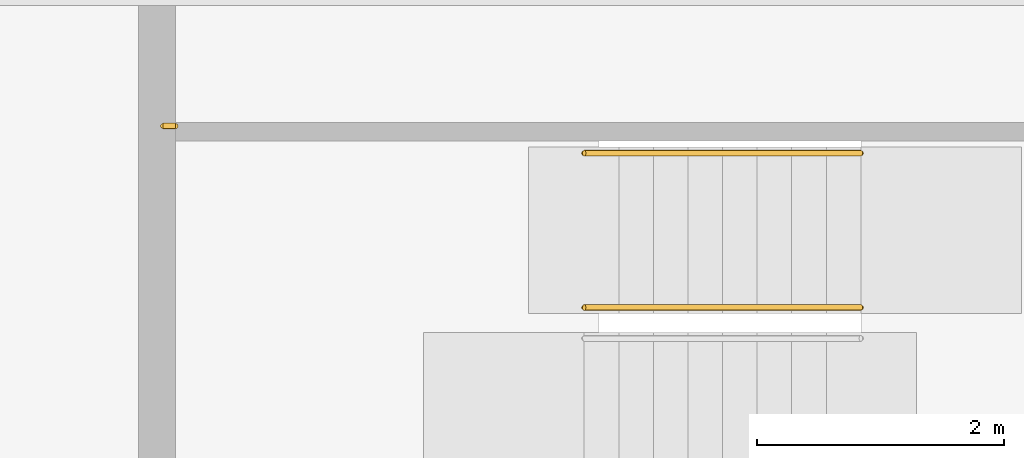
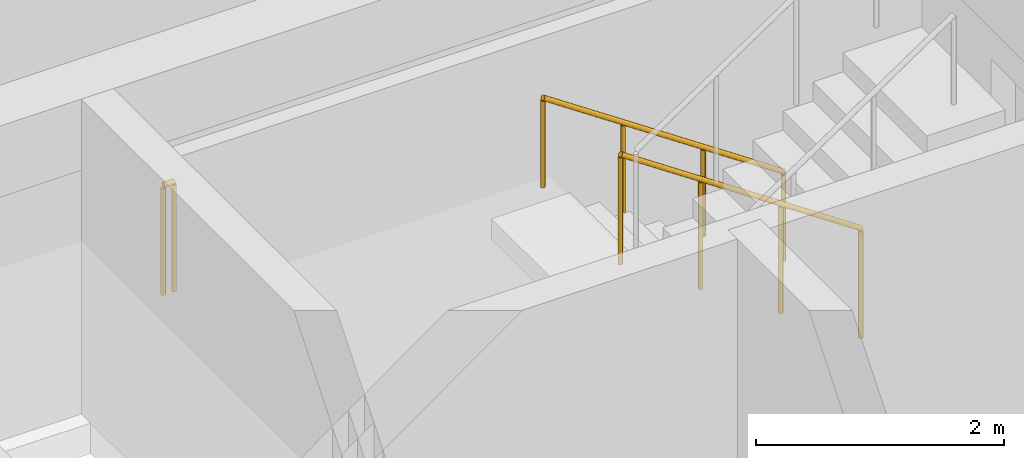
# One storey, part 11 of 12: 3 railings.
"""IFC4 building model written with IfcOpenShell, lengths in metres."""

from ifc_helpers import new_model, si_unit, direction, frame, origin, origin_2d, place, context, subcontext, project, spatial, circle, extrude, material, type_object, element, save


model = new_model("IFC4")

# Units and contexts
model_context = context("Model", 3, precision=1e-05, world=origin(), true_north=direction((0.0, 1.0)))
body_context = subcontext(model_context, "Body", "Model", "MODEL_VIEW")
ifc_project = project(units=[si_unit("LENGTHUNIT", "METRE"), si_unit("AREAUNIT", "SQUARE_METRE"), si_unit("VOLUMEUNIT", "CUBIC_METRE"), si_unit("PLANEANGLEUNIT", "RADIAN"), si_unit("MASSUNIT", "GRAM", prefix="KILO")], contexts=[model_context])

# Site, building, storey
site_placement = place(None, origin())
site = spatial("IfcSite", under=ifc_project, at=site_placement, CompositionType="ELEMENT")
building_placement = place(site_placement, origin())
building = spatial("IfcBuilding", under=site, at=building_placement, Name="Windrow Commons", CompositionType="ELEMENT")
storey_placement = place(building_placement, frame((0.0, 0.0, 213.4)))
storey = spatial("IfcBuildingStorey", under=building, at=storey_placement, Name="L58", CompositionType="ELEMENT", Elevation=213.4)

# Railings
ifc_material_1 = material(Name="Steel S355", Category="steel")
railing_type_1 = type_object("IfcRailingType", Name="Core stair guard 1100", PredefinedType="GUARDRAIL", material=ifc_material_1)
railing_1_placement = place(storey_placement, frame((70.5, 62.355, 0.1889)))
element("IfcRailing", 1, at=railing_1_placement, inside=storey, type_object=railing_type_1, Name="L58 ST-A2 stair guard 1", PredefinedType="GUARDRAIL", context=body_context, shape_type="SweptSolid", body=[
    extrude(circle(Radius=0.024, at=origin_2d()), frame((0.0, 0.0, 1.076), z_axis=(-0.8290030985, 0.0, 0.5592440099), x_axis=(0.0, -1.0, 0.0)), (0.0, 0.0, 1.0), 2.702),
    extrude(circle(Radius=0.021, at=origin_2d()), origin(), (0.0, 0.0, 1.0), 1.052),
    extrude(circle(Radius=0.021, at=origin_2d()), frame((-0.7467, 0.0, 0.5037)), (0.0, 0.0, 1.0), 1.052),
    extrude(circle(Radius=0.021, at=origin_2d()), frame((-1.4933, 0.0, 1.0074)), (0.0, 0.0, 1.0), 1.052),
    extrude(circle(Radius=0.021, at=origin_2d()), frame((-2.24, 0.0, 1.5111)), (0.0, 0.0, 1.0), 1.052),
])
railing_2_placement = place(storey_placement, frame((64.95, 63.825, 1.7)))
element("IfcRailing", 2, at=railing_2_placement, inside=storey, type_object=railing_type_1, Name="L58 ST-A2 stair guard 3", PredefinedType="GUARDRAIL", context=body_context, shape_type="SweptSolid", body=[
    extrude(circle(Radius=0.024, at=origin_2d()), frame((0.0, 0.0, 1.076), z_axis=(-1.0, 0.0, 0.0), x_axis=(0.0, -1.0, 0.0)), (0.0, 0.0, 1.0), 0.1),
    extrude(circle(Radius=0.021, at=origin_2d()), origin(), (0.0, 0.0, 1.0), 1.052),
    extrude(circle(Radius=0.021, at=origin_2d()), frame((-0.1, 0.0, 0.0)), (0.0, 0.0, 1.0), 1.052),
])
ifc_material_2 = material(Name="Steel S355", Category="steel")
railing_type_2 = type_object("IfcRailingType", Name="Core stair handrail 900", PredefinedType="HANDRAIL", material=ifc_material_2)
railing_3_placement = place(storey_placement, frame((70.5, 63.605, 0.1889)))
element("IfcRailing", 3, at=railing_3_placement, inside=storey, type_object=railing_type_2, Name="L58 ST-A2 stair handrail 1", PredefinedType="HANDRAIL", context=body_context, shape_type="SweptSolid", body=[
    extrude(circle(Radius=0.024, at=origin_2d()), frame((0.0, 0.0, 0.876), z_axis=(-0.8290030985, 0.0, 0.5592440099), x_axis=(0.0, -1.0, 0.0)), (0.0, 0.0, 1.0), 2.702),
    extrude(circle(Radius=0.021, at=origin_2d()), origin(), (0.0, 0.0, 1.0), 0.852),
    extrude(circle(Radius=0.021, at=origin_2d()), frame((-0.7467, 0.0, 0.5037)), (0.0, 0.0, 1.0), 0.852),
    extrude(circle(Radius=0.021, at=origin_2d()), frame((-1.4933, 0.0, 1.0074)), (0.0, 0.0, 1.0), 0.852),
    extrude(circle(Radius=0.021, at=origin_2d()), frame((-2.24, 0.0, 1.5111)), (0.0, 0.0, 1.0), 0.852),
])

save(model, "model.ifc")
